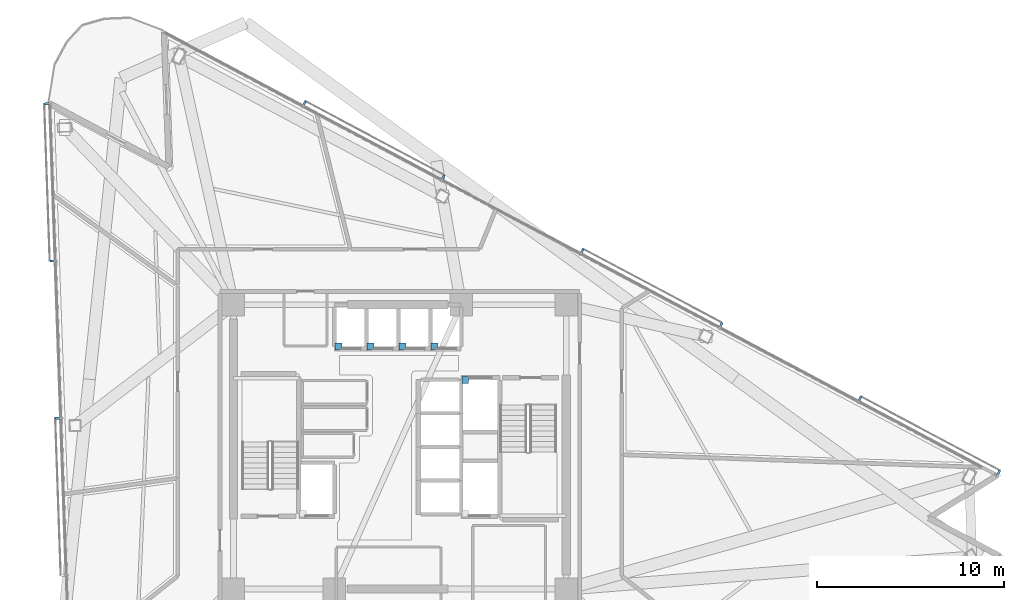
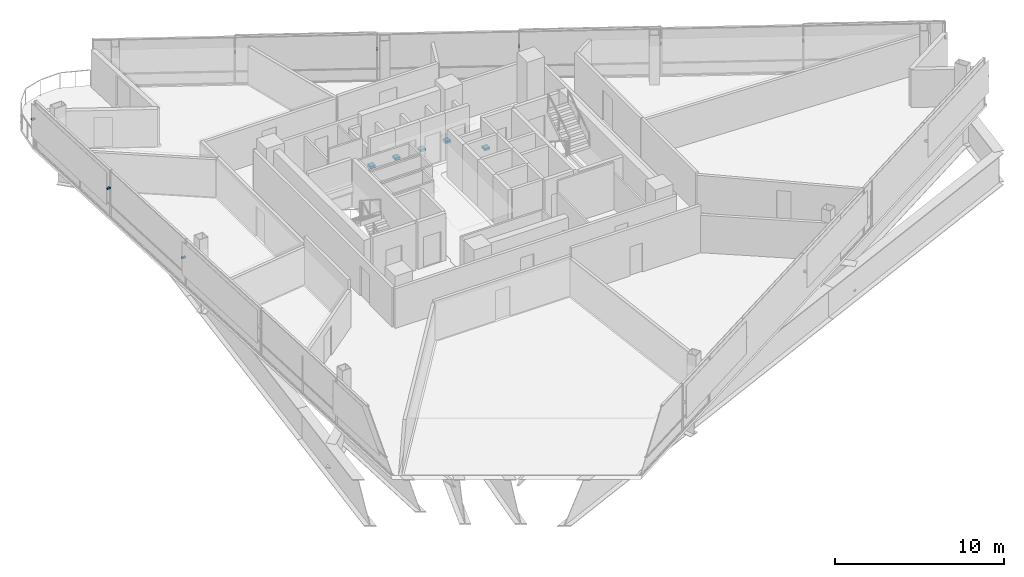
# One storey, part 16 of 20: 14 discrete accessories.
"""IFC4 building model written with IfcOpenShell, lengths in metres."""

from ifc_helpers import new_model, si_unit, direction, frame, origin, origin_2d, place, context, subcontext, project, spatial, rectangle, extrude, material, type_object, element, save


model = new_model("IFC4")

# Units and contexts
model_context = context("Model", 3, precision=1e-05, world=origin(), true_north=direction((0.0, 1.0)))
body_context = subcontext(model_context, "Body", "Model", "MODEL_VIEW")
ifc_project = project(units=[si_unit("LENGTHUNIT", "METRE"), si_unit("AREAUNIT", "SQUARE_METRE"), si_unit("VOLUMEUNIT", "CUBIC_METRE"), si_unit("PLANEANGLEUNIT", "RADIAN"), si_unit("MASSUNIT", "GRAM", prefix="KILO")], contexts=[model_context])

# Site, building, storey
site_placement = place(None, origin())
site = spatial("IfcSite", under=ifc_project, at=site_placement, CompositionType="ELEMENT")
building_placement = place(site_placement, origin())
building = spatial("IfcBuilding", under=site, at=building_placement, Name="Tharavind Bronze Gate", CompositionType="ELEMENT")
storey_placement = place(building_placement, frame((0.0, 0.0, 138.800048828125)))
storey = spatial("IfcBuildingStorey", under=building, at=storey_placement, Name="L35", CompositionType="ELEMENT", Elevation=138.800048828125)

# Discrete accessories
ifc_material_1 = material(Name="Galvanised Steel S355", Category="steel")
discrete_accessory_type_1 = type_object("IfcDiscreteAccessoryType", Name="LIFT GUIDE RAIL BRACKET", PredefinedType="BRACKET", material=ifc_material_1)
for number, where, z_axis, x_axis, name in (
    (1, (-3.280029296875, 5.3701171875, 1.1201171875), (0.0, 0.0, 1.0), (1.0, 0.0, 0.0), "Lift PL5 guide rail bracket at L35"),
    (2, (-1.5673828125, 5.3701171875, 1.1201171875), (0.0, 0.0, 1.0), (1.0, 0.0, 0.0), "Lift PL6 guide rail bracket at L35"),
    (3, (0.14501953125, 5.3701171875, 1.1201171875), (0.0, 0.0, 1.0), (1.0, 0.0, 0.0), "Lift PL7 guide rail bracket at L35"),
    (4, (1.857421875, 5.3701171875, 1.1201171875), (0.0, 0.0, 1.0), (1.0, 0.0, 0.0), "Lift PL8 guide rail bracket at L35"),
    (5, (3.5, 3.580078125, 1.1201171875), (0.0, 0.0, 1.0), (1.0, 0.0, 0.0), "Lift FFL2 guide rail bracket at L35"),
):
    element("IfcDiscreteAccessory", number, at=place(storey_placement, frame(where, z_axis=z_axis, x_axis=x_axis)), inside=storey, type_object=discrete_accessory_type_1, Name=name, PredefinedType="BRACKET", context=body_context, shape_type="SweptSolid", body=[
        extrude(rectangle(XDim=0.360107421875, YDim=0.360107421875, at=origin_2d()), origin(), (0.0, 0.0, 1.0), 0.159912109375),
    ])
ifc_material_2 = material(Name="Stainless Steel 316", Category="steel")
discrete_accessory_type_2 = type_object("IfcDiscreteAccessoryType", Name="SOLAR SCREEN STANDOFF BRACKET", PredefinedType="BRACKET", material=ifc_material_2)
for number, where, z_axis, x_axis, name in (
    (6, (-18.899658203125, 18.358154296875, 2.094970703125), (0.0, 0.0, 1.0), (0.034899496703, -0.999390827019, 0.0), "CW-L35-S1 solar screen bracket 1.1"),
    (7, (-18.60595703125, 9.94873046875, 2.094970703125), (0.0, 0.0, 1.0), (0.034899496703, -0.999390827019, 0.0), "CW-L35-S1 solar screen bracket 1.2"),
    (8, (-18.3125, 1.539306640625, 2.094970703125), (0.0, 0.0, 1.0), (0.034899496703, -0.999390827019, 0.0), "CW-L35-S1 solar screen bracket 3.1"),
    (9, (32.04833984375, -1.363525390625, 2.094970703125), (0.0, 0.0, 1.0), (-0.882947592859, 0.469471562786, 0.0), "CW-L35-S3 solar screen bracket 1.1"),
    (10, (24.61865234375, 2.5869140625, 2.094970703125), (0.0, 0.0, 1.0), (-0.882947592859, 0.469471562786, 0.0), "CW-L35-S3 solar screen bracket 1.2"),
    (11, (17.189208984375, 6.537109375, 2.094970703125), (0.0, 0.0, 1.0), (-0.882947592859, 0.469471562786, 0.0), "CW-L35-S3 solar screen bracket 3.1"),
    (12, (9.759521484375, 10.487548828125, 2.094970703125), (0.0, 0.0, 1.0), (-0.882947592859, 0.469471562786, 0.0), "CW-L35-S3 solar screen bracket 3.2"),
    (13, (2.329833984375, 14.43798828125, 2.094970703125), (0.0, 0.0, 1.0), (-0.882947592859, 0.469471562786, 0.0), "CW-L35-S3 solar screen bracket 5.1"),
    (14, (-5.099853515625, 18.388427734375, 2.094970703125), (0.0, 0.0, 1.0), (-0.882947592859, 0.469471562786, 0.0), "CW-L35-S3 solar screen bracket 5.2"),
):
    element("IfcDiscreteAccessory", number, at=place(storey_placement, frame(where, z_axis=z_axis, x_axis=x_axis)), inside=storey, type_object=discrete_accessory_type_2, Name=name, PredefinedType="BRACKET", context=body_context, shape_type="SweptSolid", body=[
        extrude(rectangle(XDim=0.1201171875, YDim=0.239990234375, at=origin_2d()), origin(), (0.0, 0.0, 1.0), 0.1201171875),
    ])

save(model, "model.ifc")
